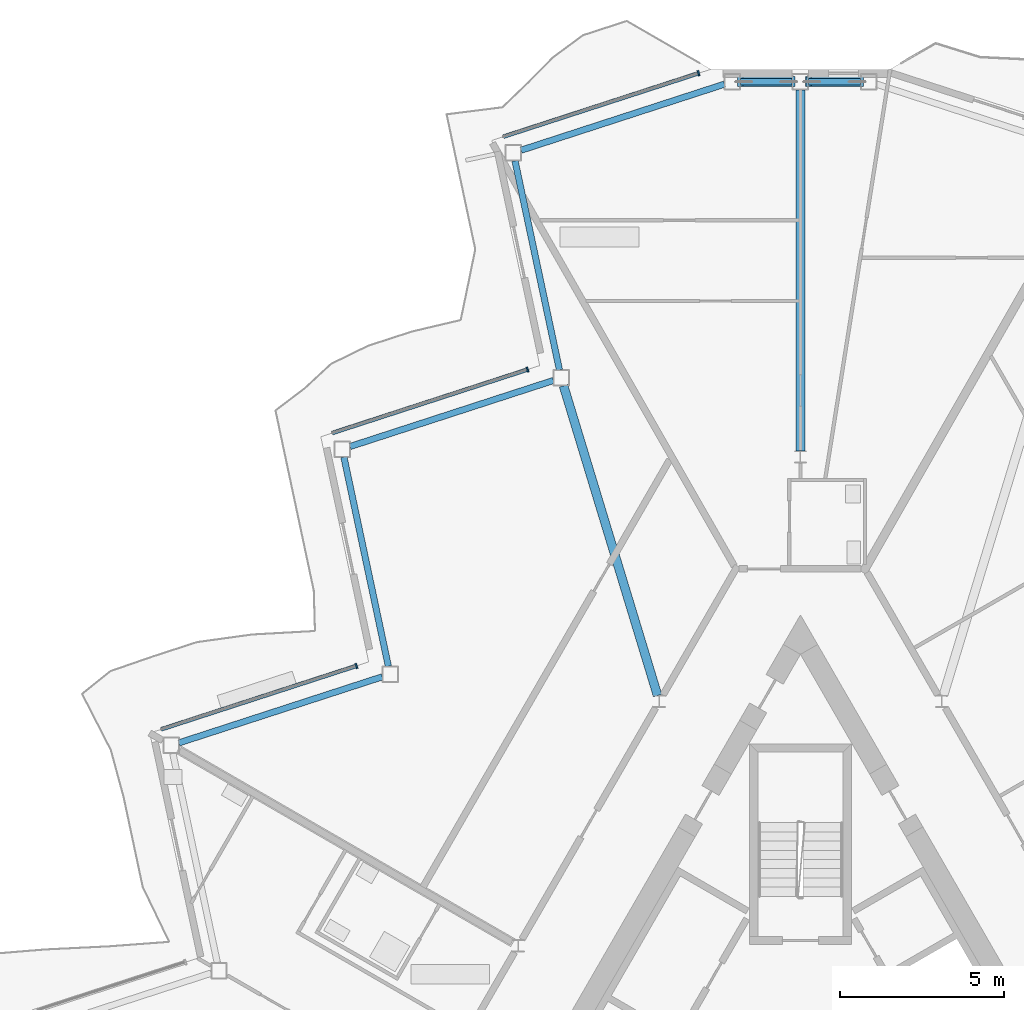
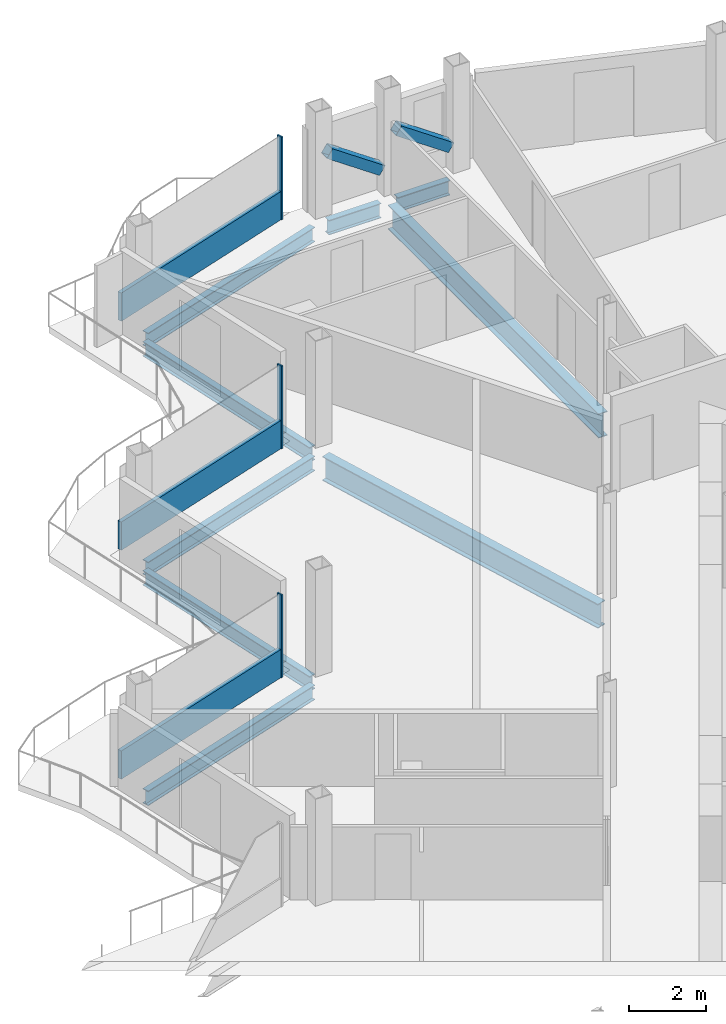
# One storey, part 9 of 26: 9 beams, 8 members, 3 elements without a shape of their own.
"""IFC4 building model written with IfcOpenShell, lengths in metres."""

from ifc_helpers import new_model, si_unit, direction, frame, origin, origin_2d, place, context, subcontext, project, spatial, rectangle, hollow_rectangle, i_section, extrude, material, layer, layer_set, material_profile, profile_set, type_object, element, aggregate, save


model = new_model("IFC4")

# Units and contexts
model_context = context("Model", 3, precision=1e-05, world=origin(), true_north=direction((0.0, 1.0)))
body_context = subcontext(model_context, "Body", "Model", "MODEL_VIEW")
ifc_project = project(units=[si_unit("LENGTHUNIT", "METRE"), si_unit("AREAUNIT", "SQUARE_METRE"), si_unit("VOLUMEUNIT", "CUBIC_METRE"), si_unit("PLANEANGLEUNIT", "RADIAN"), si_unit("MASSUNIT", "GRAM", prefix="KILO")], contexts=[model_context])

# Site, building, storey
site_placement = place(None, origin())
site = spatial("IfcSite", under=ifc_project, at=site_placement, CompositionType="ELEMENT")
building_placement = place(site_placement, origin())
building = spatial("IfcBuilding", under=site, at=building_placement, Name="Cormorant Prow Tower", CompositionType="ELEMENT")
storey_placement = place(building_placement, frame((0.0, 0.0, 364.39990234375)))
storey = spatial("IfcBuildingStorey", under=building, at=storey_placement, Name="L81", CompositionType="ELEMENT", Elevation=364.39990234375)

# Members
ifc_material_1 = material(Name="Structural steel ASTM A500 Gr C", Category="steel")
ifc_material_profile_1 = material_profile(ifc_material_1, hollow_rectangle(XDim=0.3046875, YDim=0.3046875, WallThickness=0.01171875, at=origin_2d()), Name="HSS12x12x1/2")
ifc_profile_set_1 = profile_set([ifc_material_profile_1], Name="Structural steel ASTM A500 Gr C")
member_type_1 = type_object("IfcMemberType", Name="Chamfer brace HSS12x12x1/2", PredefinedType="BRACE", material=ifc_profile_set_1)
for number, where, z_axis, x_axis, name in (
    (1, (1.8271484375, 31.219482421875, 0.770751953125), (-0.822567143358, 0.0, 0.56866800039), (0.0, -1.0, 0.0), "Chamfer brace BR3 at N00 L81"),
    (2, (-0.246826171875, 31.219482421875, 0.770751953125), (-0.822567143358, 0.0, 0.56866800039), (0.0, -1.0, 0.0), "Chamfer brace BR3 at N01 L81"),
):
    element("IfcMember", number, at=place(storey_placement, frame(where, z_axis=z_axis, x_axis=x_axis)), inside=storey, type_object=member_type_1, Name=name, PredefinedType="BRACE", context=body_context, shape_type="SweptSolid", body=[
        extrude(hollow_rectangle(XDim=0.3046875, YDim=0.3046875, WallThickness=0.01171875, at=origin_2d()), origin(), (0.0, 0.0, 1.0), 1.921142578125),
    ])

# Beams
ifc_material_2 = material(Name="Structural steel ASTM A992 Gr 50", Category="steel")
ifc_material_profile_2 = material_profile(ifc_material_2, i_section(OverallWidth=0.267822265625, OverallDepth=0.77001953125, WebThickness=0.015625, FlangeThickness=0.025390625, at=origin_2d()), Name="W30x132")
ifc_profile_set_2 = profile_set([ifc_material_profile_2], Name="Structural steel ASTM A992 Gr 50")
beam_type_1 = type_object("IfcBeamType", Name="Radial floor beam W30x132", PredefinedType="BEAM", material=ifc_profile_set_2)
beam_1_placement = place(storey_placement, frame((0.0, 19.998046875, -0.684814453125), z_axis=(0.0, 1.0, 0.0), x_axis=(-1.0, 0.0, 0.0)))
element("IfcBeam", 3, at=beam_1_placement, inside=storey, type_object=beam_type_1, Name="Radial floor beam FB3 1 L81", PredefinedType="BEAM", context=body_context, shape_type="SweptSolid", body=[
    extrude(i_section(OverallWidth=0.267822265625, OverallDepth=0.77001953125, WebThickness=0.015625, FlangeThickness=0.025390625, at=origin_2d()), origin(), (0.0, 0.0, 1.0), 10.971435546875),
])
beam_2_placement = place(storey_placement, frame((-4.343505859375, 12.560791015625, -0.684814453125), z_axis=(-0.290499864147, 0.956875033079, 0.0), x_axis=(-0.956875033079, -0.290499864147, 0.0)))
element("IfcBeam", 4, at=beam_2_placement, inside=storey, type_object=beam_type_1, Name="Radial floor beam FB3 2 L81", PredefinedType="BEAM", context=body_context, shape_type="SweptSolid", body=[
    extrude(i_section(OverallWidth=0.267822265625, OverallDepth=0.77001953125, WebThickness=0.015625, FlangeThickness=0.025390625, at=origin_2d()), origin(), (0.0, 0.0, 1.0), 9.837158203125),
])

# Curtain wall, member
ifc_material_3 = material(Name="Aluminium 6063-T6", Category="aluminium")
ifc_layer = layer(ifc_material_3, 0.159912109375)
ifc_layer_set = layer_set([ifc_layer], Name="Aluminium 6063-T6")
curtain_wall_type = type_object("IfcCurtainWallType", Name="Residential unitised curtain wall 160", PredefinedType="NOTDEFINED", material=ifc_layer_set)
curtain_wall_1_placement = place(storey_placement, origin())
curtain_wall_1 = element("IfcCurtainWall", 5, at=curtain_wall_1_placement, inside=storey, type_object=curtain_wall_type, Name="Residential curtain wall WNW00", PredefinedType="NOTDEFINED")
ifc_material_4 = material(Name="Aluminium 6063-T6", Category="aluminium")
ifc_material_profile_3 = material_profile(ifc_material_4, rectangle(XDim=0.159912109375, YDim=0.050048828125, at=origin_2d()), Name="Residential mullion 50x160")
ifc_profile_set_3 = profile_set([ifc_material_profile_3], Name="Aluminium 6063-T6")
member_type_2 = type_object("IfcMemberType", Name="Residential mullion 50x160", PredefinedType="MULLION", material=ifc_profile_set_3)
member_1_placement = place(storey_placement, frame((-3.0966796875, 31.474609375, 0.0), z_axis=(0.0, 0.0, 1.0), x_axis=(0.309016895096, -0.951056548553, 0.0)))
member_1 = element("IfcMember", 6, at=member_1_placement, type_object=member_type_2, Name="Residential mullion WNW00", PredefinedType="MULLION", context=body_context, shape_type="SweptSolid", body=[
    extrude(rectangle(XDim=0.159912109375, YDim=0.050048828125, at=origin_2d()), origin(), (0.0, 0.0, 1.0), 2.634033203125),
])

curtain_wall_2_placement = place(storey_placement, origin())
curtain_wall_2 = element("IfcCurtainWall", 7, at=curtain_wall_2_placement, inside=storey, type_object=curtain_wall_type, Name="Residential curtain wall WNW02", PredefinedType="NOTDEFINED")
member_2_placement = place(storey_placement, frame((-8.296630859375, 22.4677734375, 0.0), z_axis=(0.0, 0.0, 1.0), x_axis=(0.309017024369, -0.951056506549, 0.0)))
member_2 = element("IfcMember", 8, at=member_2_placement, type_object=member_type_2, Name="Residential mullion WNW02", PredefinedType="MULLION", context=body_context, shape_type="SweptSolid", body=[
    extrude(rectangle(XDim=0.159912109375, YDim=0.050048828125, at=origin_2d()), origin(), (0.0, 0.0, 1.0), 2.634033203125),
])

curtain_wall_3_placement = place(storey_placement, origin())
curtain_wall_3 = element("IfcCurtainWall", 9, at=curtain_wall_3_placement, inside=storey, type_object=curtain_wall_type, Name="Residential curtain wall WNW04", PredefinedType="NOTDEFINED")
member_3_placement = place(storey_placement, frame((-13.49658203125, 13.461181640625, 0.0), z_axis=(0.0, 0.0, 1.0), x_axis=(0.309016895096, -0.951056548553, 0.0)))
member_3 = element("IfcMember", 10, at=member_3_placement, type_object=member_type_2, Name="Residential mullion WNW04", PredefinedType="MULLION", context=body_context, shape_type="SweptSolid", body=[
    extrude(rectangle(XDim=0.159912109375, YDim=0.050048828125, at=origin_2d()), origin(), (0.0, 0.0, 1.0), 2.634033203125),
])

# Member
ifc_material_5 = material(Name="Terracotta", Category="masonry")
ifc_material_profile_4 = material_profile(ifc_material_5, rectangle(XDim=0.1201171875, YDim=0.89990234375, at=origin_2d()), Name="Residential terracotta spandrel rail 120x900")
ifc_profile_set_4 = profile_set([ifc_material_profile_4], Name="Terracotta")
member_type_3 = type_object("IfcMemberType", Name="Residential terracotta spandrel rail 120x900", PredefinedType="USERDEFINED", material=ifc_profile_set_4)
member_4_placement = place(storey_placement, frame((-3.120361328125, 31.466796875, 0.4501953125), z_axis=(-0.951056004715, -0.309018568854, 0.0), x_axis=(0.309018568854, -0.951056004715, 0.0)))
member_4 = element("IfcMember", 11, at=member_4_placement, type_object=member_type_3, Name="Residential spandrel rail WNW00", ObjectType="TRANSOM", PredefinedType="USERDEFINED", context=body_context, shape_type="SweptSolid", body=[
    extrude(rectangle(XDim=0.1201171875, YDim=0.89990234375, at=origin_2d()), origin(), (0.0, 0.0, 1.0), 6.21533203125),
])

aggregate(curtain_wall_1, [member_1, member_4])

member_5_placement = place(storey_placement, frame((-8.3203125, 22.460205078125, 0.4501953125), z_axis=(-0.951056004715, -0.309018568854, 0.0), x_axis=(0.309018568854, -0.951056004715, 0.0)))
member_5 = element("IfcMember", 12, at=member_5_placement, type_object=member_type_3, Name="Residential spandrel rail WNW02", ObjectType="TRANSOM", PredefinedType="USERDEFINED", context=body_context, shape_type="SweptSolid", body=[
    extrude(rectangle(XDim=0.1201171875, YDim=0.89990234375, at=origin_2d()), origin(), (0.0, 0.0, 1.0), 6.21533203125),
])

aggregate(curtain_wall_2, [member_2, member_5])

member_6_placement = place(storey_placement, frame((-13.520263671875, 13.453369140625, 0.4501953125), z_axis=(-0.951056004715, -0.309018568854, 0.0), x_axis=(0.309018568854, -0.951056004715, 0.0)))
member_6 = element("IfcMember", 13, at=member_6_placement, type_object=member_type_3, Name="Residential spandrel rail WNW04", ObjectType="TRANSOM", PredefinedType="USERDEFINED", context=body_context, shape_type="SweptSolid", body=[
    extrude(rectangle(XDim=0.1201171875, YDim=0.89990234375, at=origin_2d()), origin(), (0.0, 0.0, 1.0), 6.21533203125),
])

aggregate(curtain_wall_3, [member_3, member_6])

# Beams
ifc_material_6 = material(Name="Structural steel ASTM A992 Gr 50", Category="steel")
ifc_material_profile_5 = material_profile(ifc_material_6, i_section(OverallWidth=0.19287109375, OverallDepth=0.466064453125, WebThickness=0.011474609375, FlangeThickness=0.01904296875, at=origin_2d()), Name="W18x65")
ifc_profile_set_5 = profile_set([ifc_material_profile_5], Name="Structural steel ASTM A992 Gr 50")
beam_type_2 = type_object("IfcBeamType", Name="Spandrel beam W18x65", PredefinedType="SPANDREL", material=ifc_profile_set_5)
for number, where, z_axis, x_axis, name in (
    (14, (1.82373046875, 31.219482421875, -0.532958984375), (-1.0, 0.0, 0.0), (0.0, -1.0, 0.0), "Spandrel beam SB4 N00-N01 L81"),
    (15, (-0.25, 31.219482421875, -0.532958984375), (-1.0, 0.0, 0.0), (0.0, -1.0, 0.0), "Spandrel beam SB4 N01-WNW00 L81"),
):
    element("IfcBeam", number, at=place(storey_placement, frame(where, z_axis=z_axis, x_axis=x_axis)), inside=storey, type_object=beam_type_2, Name=name, PredefinedType="SPANDREL", context=body_context, shape_type="SweptSolid", body=[
        extrude(i_section(OverallWidth=0.19287109375, OverallDepth=0.466064453125, WebThickness=0.011474609375, FlangeThickness=0.01904296875, at=origin_2d()), origin(), (0.0, 0.0, 1.0), 1.57373046875),
    ])
for number, where, z_axis, x_axis, name in (
    (16, (-2.3115234375, 31.142333984375, -0.532958984375), (-0.951056984862, -0.30901555227, 0.0), (0.30901555227, -0.951056984862, 0.0), "Spandrel beam SB4 WNW00-WNW01 L81"),
    (17, (-8.6767578125, 28.812744140625, -0.532958984375), (0.20793784774, -0.978142040543, 0.0), (0.978142040543, 0.20793784774, 0.0), "Spandrel beam SB4 WNW01-WNW02 L81"),
):
    element("IfcBeam", number, at=place(storey_placement, frame(where, z_axis=z_axis, x_axis=x_axis)), inside=storey, type_object=beam_type_2, Name=name, PredefinedType="SPANDREL", context=body_context, shape_type="SweptSolid", body=[
        extrude(i_section(OverallWidth=0.19287109375, OverallDepth=0.466064453125, WebThickness=0.011474609375, FlangeThickness=0.01904296875, at=origin_2d()), origin(), (0.0, 0.0, 1.0), 6.49755859375),
    ])
beam_3_placement = place(storey_placement, frame((-7.511474609375, 22.135498046875, -0.532958984375), z_axis=(-0.951068027308, -0.308981564875, 0.0), x_axis=(0.308981564875, -0.951068027308, 0.0)))
element("IfcBeam", 18, at=beam_3_placement, inside=storey, type_object=beam_type_2, Name="Spandrel beam SB4 WNW02-WNW03 L81", PredefinedType="SPANDREL", context=body_context, shape_type="SweptSolid", body=[
    extrude(i_section(OverallWidth=0.19287109375, OverallDepth=0.466064453125, WebThickness=0.011474609375, FlangeThickness=0.01904296875, at=origin_2d()), origin(), (0.0, 0.0, 1.0), 6.497314453125),
])
beam_4_placement = place(storey_placement, frame((-13.876708984375, 19.80615234375, -0.532958984375), z_axis=(0.207901897373, -0.978149682344, 0.0), x_axis=(0.978149682344, 0.207901897373, 0.0)))
element("IfcBeam", 19, at=beam_4_placement, inside=storey, type_object=beam_type_2, Name="Spandrel beam SB4 WNW03-WNW04 L81", PredefinedType="SPANDREL", context=body_context, shape_type="SweptSolid", body=[
    extrude(i_section(OverallWidth=0.19287109375, OverallDepth=0.466064453125, WebThickness=0.011474609375, FlangeThickness=0.01904296875, at=origin_2d()), origin(), (0.0, 0.0, 1.0), 6.49755859375),
])
beam_5_placement = place(storey_placement, frame((-12.711669921875, 13.12890625, -0.532958984375), z_axis=(-0.951053396625, -0.309026595569, 0.0), x_axis=(0.309026595569, -0.951053396625, 0.0)))
element("IfcBeam", 20, at=beam_5_placement, inside=storey, type_object=beam_type_2, Name="Spandrel beam SB4 WNW04-WNW05 L81", PredefinedType="SPANDREL", context=body_context, shape_type="SweptSolid", body=[
    extrude(i_section(OverallWidth=0.19287109375, OverallDepth=0.466064453125, WebThickness=0.011474609375, FlangeThickness=0.01904296875, at=origin_2d()), origin(), (0.0, 0.0, 1.0), 6.497314453125),
])

save(model, "model.ifc")
